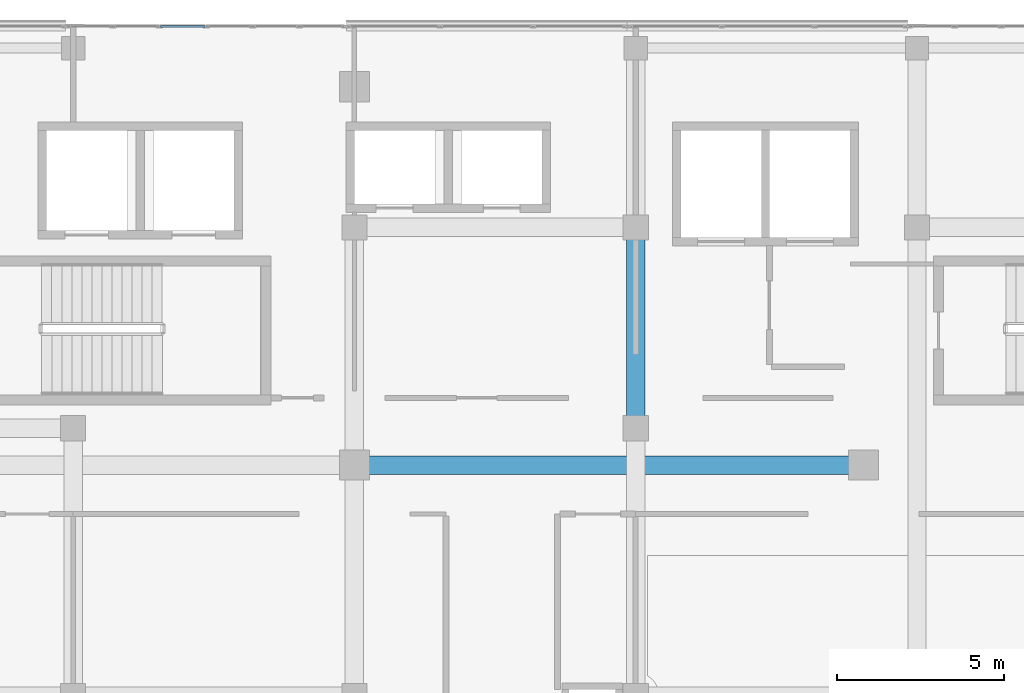
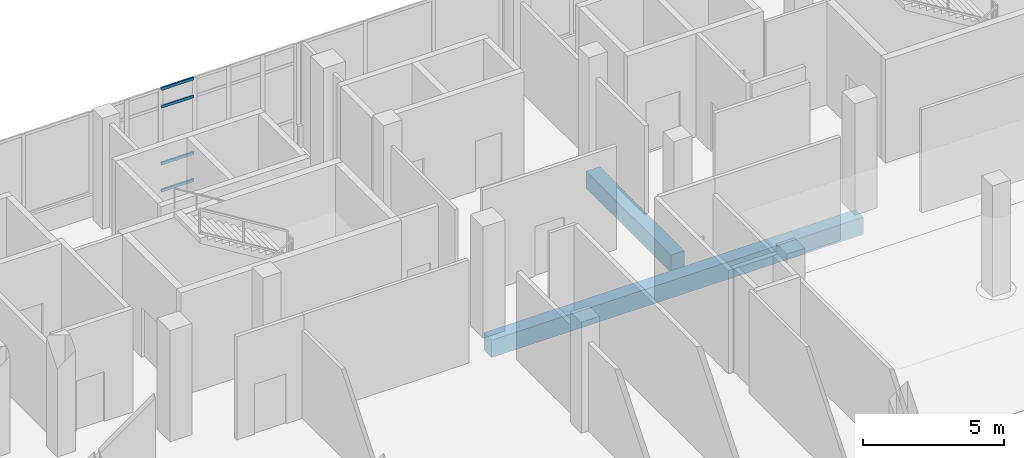
# One storey, part 87 of 155: 4 members, 2 beams, 1 element without a shape of its own.
"""IFC4 building model written with IfcOpenShell, lengths in metres."""

from ifc_helpers import new_model, si_unit, direction, frame, origin, origin_2d, place, context, subcontext, project, spatial, rectangle, hollow_rectangle, extrude, material, material_profile, profile_set, type_object, element, aggregate, save


model = new_model("IFC4")

# Units and contexts
model_context = context("Model", 3, precision=1e-05, world=origin(), true_north=direction((0.0, 1.0)))
body_context = subcontext(model_context, "Body", "Model", "MODEL_VIEW")
ifc_project = project(units=[si_unit("LENGTHUNIT", "METRE"), si_unit("AREAUNIT", "SQUARE_METRE"), si_unit("VOLUMEUNIT", "CUBIC_METRE"), si_unit("PLANEANGLEUNIT", "RADIAN"), si_unit("MASSUNIT", "GRAM", prefix="KILO")], contexts=[model_context])

# Site, building, storey
site_placement = place(None, origin())
site = spatial("IfcSite", under=ifc_project, at=site_placement, CompositionType="ELEMENT")
building_placement = place(site_placement, origin())
building = spatial("IfcBuilding", under=site, at=building_placement, Name="Selatvlak General Hospital", CompositionType="ELEMENT")
storey_placement = place(building_placement, frame((0.0, 0.0, 10.199951171875)))
storey = spatial("IfcBuildingStorey", under=building, at=storey_placement, Name="L02", CompositionType="ELEMENT", Elevation=10.199951171875)

# Beams
ifc_material_1 = material(Name="Concrete C40/50", Category="concrete")
ifc_material_profile_1 = material_profile(ifc_material_1, rectangle(XDim=0.550048828125, YDim=0.75, at=origin_2d()), Name="RC-BM 550x750")
ifc_profile_set_1 = profile_set([ifc_material_profile_1], Name="Concrete C40/50")
beam_type = type_object("IfcBeamType", Name="BM-G02", PredefinedType="BEAM", material=ifc_profile_set_1)
beam_1_placement = place(storey_placement, frame((115.199951171875, 106.89990234375, -0.72998046875), z_axis=(1.0, 0.0, 0.0), x_axis=(0.0, 1.0, 0.0)))
element("IfcBeam", 1, at=beam_1_placement, inside=storey, type_object=beam_type, Name="Beam BMR-L02-0880", PredefinedType="BEAM", context=body_context, shape_type="SweptSolid", body=[
    extrude(rectangle(XDim=0.550048828125, YDim=0.75, at=origin_2d()), origin(), (0.0, 0.0, 1.0), 15.199951171875),
])
beam_2_placement = place(storey_placement, frame((123.60009765625, 108.0, -0.72998046875), z_axis=(0.0, 1.0, 0.0), x_axis=(-1.0, 0.0, 0.0)))
element("IfcBeam", 2, at=beam_2_placement, inside=storey, type_object=beam_type, Name="Beam BMR-L02-1018", PredefinedType="BEAM", context=body_context, shape_type="SweptSolid", body=[
    extrude(rectangle(XDim=0.550048828125, YDim=0.75, at=origin_2d()), origin(), (0.0, 0.0, 1.0), 6.0),
])

# Curtain wall, members
ifc_material_2 = material(Name="Solar-control Low-E double glazing", Category="glass")
curtain_wall_type = type_object("IfcCurtainWallType", Name="CW-CW-04", PredefinedType="USERDEFINED", material=ifc_material_2)
curtain_wall_placement = place(storey_placement, origin())
curtain_wall = element("IfcCurtainWall", 3, at=curtain_wall_placement, inside=storey, type_object=curtain_wall_type, Name="Glazed facade curtain wall CW-L02-0254", ObjectType="STICK GLAZING WALL", PredefinedType="USERDEFINED")
ifc_material_3 = material(Name="Dark anodised aluminium mullion", Category="aluminium")
ifc_material_profile_2 = material_profile(ifc_material_3, hollow_rectangle(XDim=0.06494140625, YDim=0.1201171875, WallThickness=0.00390625, at=origin_2d()), Name="AL-TRN 65x120x4")
ifc_profile_set_2 = profile_set([ifc_material_profile_2], Name="Dark anodised aluminium mullion")
member_type = type_object("IfcMemberType", Name="CWT-01", PredefinedType="USERDEFINED", material=ifc_profile_set_2)
member_1_placement = place(storey_placement, frame((109.409912109375, 120.0, 0.032470703125), z_axis=(1.0, 0.0, 0.0), x_axis=(0.0, 1.0, 0.0)))
member_1 = element("IfcMember", 4, at=member_1_placement, type_object=member_type, Name="CW-04 transom 3.1", ObjectType="TRANSOM", PredefinedType="USERDEFINED", context=body_context, shape_type="SweptSolid", body=[
    extrude(hollow_rectangle(XDim=0.06494140625, YDim=0.1201171875, WallThickness=0.00390625, at=origin_2d()), origin(), (0.0, 0.0, 1.0), 1.32666015625),
])
member_2_placement = place(storey_placement, frame((109.409912109375, 120.0, 1.199951171875), z_axis=(1.0, 0.0, 0.0), x_axis=(0.0, 1.0, 0.0)))
member_2 = element("IfcMember", 5, at=member_2_placement, type_object=member_type, Name="CW-04 transom 3.2", ObjectType="TRANSOM", PredefinedType="USERDEFINED", context=body_context, shape_type="SweptSolid", body=[
    extrude(hollow_rectangle(XDim=0.06494140625, YDim=0.1201171875, WallThickness=0.00390625, at=origin_2d()), origin(), (0.0, 0.0, 1.0), 1.32666015625),
])
member_3_placement = place(storey_placement, frame((109.409912109375, 120.0, 3.66015625), z_axis=(1.0, 0.0, 0.0), x_axis=(0.0, 1.0, 0.0)))
member_3 = element("IfcMember", 6, at=member_3_placement, type_object=member_type, Name="CW-04 transom 3.3", ObjectType="TRANSOM", PredefinedType="USERDEFINED", context=body_context, shape_type="SweptSolid", body=[
    extrude(hollow_rectangle(XDim=0.06494140625, YDim=0.1201171875, WallThickness=0.00390625, at=origin_2d()), origin(), (0.0, 0.0, 1.0), 1.32666015625),
])
member_4_placement = place(storey_placement, frame((109.409912109375, 120.0, 4.427490234375), z_axis=(1.0, 0.0, 0.0), x_axis=(0.0, 1.0, 0.0)))
member_4 = element("IfcMember", 7, at=member_4_placement, type_object=member_type, Name="CW-04 transom 3.4", ObjectType="TRANSOM", PredefinedType="USERDEFINED", context=body_context, shape_type="SweptSolid", body=[
    extrude(hollow_rectangle(XDim=0.06494140625, YDim=0.1201171875, WallThickness=0.00390625, at=origin_2d()), origin(), (0.0, 0.0, 1.0), 1.32666015625),
])
aggregate(curtain_wall, [member_1, member_2, member_3, member_4])

save(model, "model.ifc")
